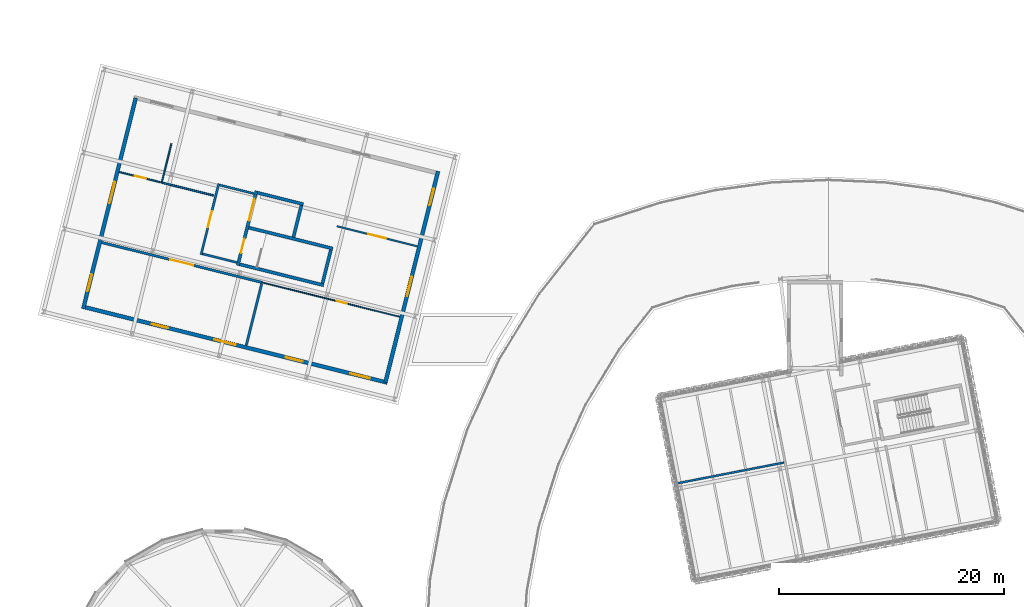
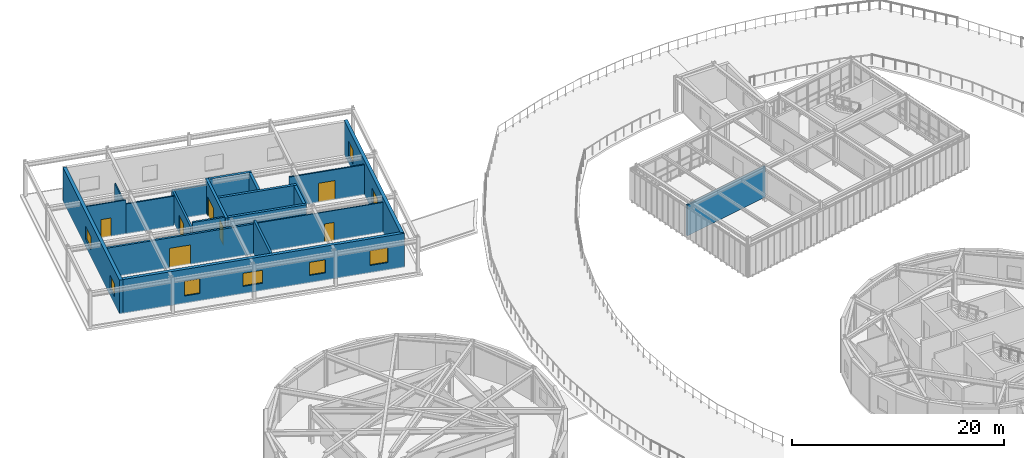
# One storey, part 35 of 59: 20 walls, 8 windows, 7 doors, 15 openings.
"""IFC4 building model written with IfcOpenShell, lengths in metres."""

from ifc_helpers import new_model, si_unit, direction, frame, frame_2d, origin, place, context, subcontext, project, spatial, rectangle, extrude, material, layer, layer_set, type_object, element, fill, save


model = new_model("IFC4")

# Units and contexts
model_context = context("Model", 3, precision=1e-05, world=origin(), true_north=direction((0.0, 1.0)))
body_context = subcontext(model_context, "Body", "Model", "MODEL_VIEW")
ifc_project = project(units=[si_unit("LENGTHUNIT", "METRE"), si_unit("AREAUNIT", "SQUARE_METRE"), si_unit("VOLUMEUNIT", "CUBIC_METRE"), si_unit("PLANEANGLEUNIT", "RADIAN"), si_unit("MASSUNIT", "GRAM", prefix="KILO")], contexts=[model_context])

# Site, building, storey
site_placement = place(None, origin())
site = spatial("IfcSite", under=ifc_project, at=site_placement, CompositionType="ELEMENT")
building_placement = place(site_placement, origin())
building = spatial("IfcBuilding", under=site, at=building_placement, Name="Varnklinge Art Gallery", CompositionType="ELEMENT")
storey_placement = place(building_placement, frame((0.0, 0.0, 9.52001953125)))
storey = spatial("IfcBuildingStorey", under=building, at=storey_placement, Name="L02", CompositionType="ELEMENT", Elevation=9.52001953125)

# Wall, openings, windows
ifc_material_1 = material(Name="Precast concrete C40/50", Category="concrete")
ifc_layer_1 = layer(ifc_material_1, 0.340087890625)
ifc_layer_set_1 = layer_set([ifc_layer_1], Name="Precast concrete C40/50")
wall_type_1 = type_object("IfcWallType", Name="EW-34", PredefinedType="SOLIDWALL", material=ifc_layer_set_1)
wall_1_placement = place(storey_placement, frame((9.22216796875, 85.88525390625, 0.0), z_axis=(0.0, 0.0, 1.0), x_axis=(0.241917442557, 0.970296836533, 0.0)))
wall_1 = element("IfcWall", 1, at=wall_1_placement, inside=storey, type_object=wall_type_1, Name="L02 Exterior Wall EW-V5-L02-01", PredefinedType="SOLIDWALL", context=body_context, shape_type="SweptSolid", body=[
    extrude(rectangle(XDim=19.330078125, YDim=0.340087890625, at=frame_2d((9.6650390625, 0.0))), origin(), (0.0, 0.0, 1.0), 3.919921875),
])
opening_1_placement = place(wall_1_placement, frame((1.60009765625, 0.0, 0.85009765625)))
opening_1 = element("IfcOpeningElement", 2, at=opening_1_placement, cuts=wall_1, Name="Opening WN-03", PredefinedType="OPENING", context=body_context, shape_type="SweptSolid", body=[
    extrude(rectangle(XDim=1.550048828125, YDim=1.5, at=frame_2d((0.77490234375, 0.75))), frame((0.0, 0.179931640625, 0.0), z_axis=(0.0, -1.0, 0.0), x_axis=(1.0, 0.0, 0.0)), (0.0, 0.0, 1.0), 0.360107421875),
])
opening_2_placement = place(wall_1_placement, frame((9.6650390625, 0.0, 0.85009765625)))
opening_2 = element("IfcOpeningElement", 3, at=opening_2_placement, cuts=wall_1, Name="Opening WN-05", PredefinedType="OPENING", context=body_context, shape_type="SweptSolid", body=[
    extrude(rectangle(XDim=1.949951171875, YDim=1.5, at=frame_2d((0.97509765625, 0.75))), frame((0.0, 0.179931640625, 0.0), z_axis=(0.0, -1.0, 0.0), x_axis=(1.0, 0.0, 0.0)), (0.0, 0.0, 1.0), 0.360107421875),
])
ifc_material_2 = material(Name="Insulated Low-E Triple Glazing", Category="glass")
window_type_1 = type_object("IfcWindowType", Name="WN-03", PartitioningType="SINGLE_PANEL", PredefinedType="WINDOW", material=ifc_material_2)
window_1_placement = place(opening_1_placement, origin())
window_1 = element("IfcWindow", 4, at=window_1_placement, inside=storey, type_object=window_type_1, Name="L02 Window WIN-L02-139", OverallHeight=1.5, OverallWidth=1.550048828125, PartitioningType="SINGLE_PANEL", PredefinedType="WINDOW", context=body_context, shape_type="SweptSolid", body=[
    extrude(rectangle(XDim=1.550048828125, YDim=1.5, at=frame_2d((0.77490234375, 0.75))), frame((0.0, 0.030029296875, 0.0), z_axis=(0.0, -1.0, 0.0), x_axis=(1.0, 0.0, 0.0)), (0.0, 0.0, 1.0), 0.06005859375),
])
fill(opening_1, window_1)
ifc_material_3 = material(Name="Insulated Low-E Triple Glazing", Category="glass")
window_type_2 = type_object("IfcWindowType", Name="WN-05", PartitioningType="SINGLE_PANEL", PredefinedType="WINDOW", material=ifc_material_3)
window_2_placement = place(opening_2_placement, origin())
window_2 = element("IfcWindow", 5, at=window_2_placement, inside=storey, type_object=window_type_2, Name="L02 Window WIN-L02-140", OverallHeight=1.5, OverallWidth=1.949951171875, PartitioningType="SINGLE_PANEL", PredefinedType="WINDOW", context=body_context, shape_type="SweptSolid", body=[
    extrude(rectangle(XDim=1.949951171875, YDim=1.5, at=frame_2d((0.97509765625, 0.75))), frame((0.0, 0.030029296875, 0.0), z_axis=(0.0, -1.0, 0.0), x_axis=(1.0, 0.0, 0.0)), (0.0, 0.0, 1.0), 0.06005859375),
])
fill(opening_2, window_2)

wall_2_placement = place(storey_placement, frame((40.77783203125, 98.11474609375, 0.0), z_axis=(0.0, 0.0, 1.0), x_axis=(-0.241917442557, -0.970296836533, 0.0)))
wall_2 = element("IfcWall", 6, at=wall_2_placement, inside=storey, type_object=wall_type_1, Name="L02 Exterior Wall EW-V5-L02-03", PredefinedType="SOLIDWALL", context=body_context, shape_type="SweptSolid", body=[
    extrude(rectangle(XDim=19.330078125, YDim=0.340087890625, at=frame_2d((9.6650390625, 0.0))), origin(), (0.0, 0.0, 1.0), 3.919921875),
])
opening_3_placement = place(wall_2_placement, frame((1.60009765625, 0.0, 0.85009765625)))
opening_3 = element("IfcOpeningElement", 7, at=opening_3_placement, cuts=wall_2, Name="Opening WN-10", PredefinedType="OPENING", context=body_context, shape_type="SweptSolid", body=[
    extrude(rectangle(XDim=1.5, YDim=1.699951171875, at=frame_2d((0.75, 0.85009765625))), frame((0.0, 0.179931640625, 0.0), z_axis=(0.0, -1.0, 0.0), x_axis=(1.0, 0.0, 0.0)), (0.0, 0.0, 1.0), 0.360107421875),
])
opening_4_placement = place(wall_2_placement, frame((9.6650390625, 0.0, 0.85009765625)))
opening_4 = element("IfcOpeningElement", 8, at=opening_4_placement, cuts=wall_2, Name="Opening WN-11", PredefinedType="OPENING", context=body_context, shape_type="SweptSolid", body=[
    extrude(rectangle(XDim=1.800048828125, YDim=1.699951171875, at=frame_2d((0.89990234375, 0.85009765625))), frame((0.0, 0.179931640625, 0.0), z_axis=(0.0, -1.0, 0.0), x_axis=(1.0, 0.0, 0.0)), (0.0, 0.0, 1.0), 0.360107421875),
])
ifc_material_4 = material(Name="Insulated Low-E Triple Glazing", Category="glass")
window_type_3 = type_object("IfcWindowType", Name="WN-10", PartitioningType="SINGLE_PANEL", PredefinedType="WINDOW", material=ifc_material_4)
window_3_placement = place(opening_3_placement, origin())
window_3 = element("IfcWindow", 9, at=window_3_placement, inside=storey, type_object=window_type_3, Name="L02 Window WIN-L02-145", OverallHeight=1.699951171875, OverallWidth=1.5, PartitioningType="SINGLE_PANEL", PredefinedType="WINDOW", context=body_context, shape_type="SweptSolid", body=[
    extrude(rectangle(XDim=1.5, YDim=1.699951171875, at=frame_2d((0.75, 0.85009765625))), frame((0.0, 0.030029296875, 0.0), z_axis=(0.0, -1.0, 0.0), x_axis=(1.0, 0.0, 0.0)), (0.0, 0.0, 1.0), 0.06005859375),
])
fill(opening_3, window_3)
ifc_material_5 = material(Name="Insulated Low-E Triple Glazing", Category="glass")
window_type_4 = type_object("IfcWindowType", Name="WN-11", PartitioningType="SINGLE_PANEL", PredefinedType="WINDOW", material=ifc_material_5)
window_4_placement = place(opening_4_placement, origin())
window_4 = element("IfcWindow", 10, at=window_4_placement, inside=storey, type_object=window_type_4, Name="L02 Window WIN-L02-146", OverallHeight=1.699951171875, OverallWidth=1.800048828125, PartitioningType="SINGLE_PANEL", PredefinedType="WINDOW", context=body_context, shape_type="SweptSolid", body=[
    extrude(rectangle(XDim=1.800048828125, YDim=1.699951171875, at=frame_2d((0.89990234375, 0.85009765625))), frame((0.0, 0.030029296875, 0.0), z_axis=(0.0, -1.0, 0.0), x_axis=(1.0, 0.0, 0.0)), (0.0, 0.0, 1.0), 0.06005859375),
])
fill(opening_4, window_4)

wall_3_placement = place(storey_placement, frame((36.2666015625, 79.317626953125, 0.0), z_axis=(0.0, 0.0, 1.0), x_axis=(-0.970296082692, 0.24192046609, 0.0)))
wall_3 = element("IfcWall", 11, at=wall_3_placement, inside=storey, type_object=wall_type_1, Name="L02 Exterior Wall EW-V5-L02-04", PredefinedType="SOLIDWALL", context=body_context, shape_type="SweptSolid", body=[
    extrude(rectangle(XDim=27.830078125, YDim=0.340087890625, at=frame_2d((13.9150390625, 0.0))), origin(), (0.0, 0.0, 1.0), 3.919921875),
])
opening_5_placement = place(wall_3_placement, frame((1.60009765625, 0.0, 0.85009765625)))
opening_5 = element("IfcOpeningElement", 12, at=opening_5_placement, cuts=wall_3, Name="Opening WN-11", PredefinedType="OPENING", context=body_context, shape_type="SweptSolid", body=[
    extrude(rectangle(XDim=1.800048828125, YDim=1.699951171875, at=frame_2d((0.89990234375, 0.85009765625))), frame((0.0, 0.179931640625, 0.0), z_axis=(0.0, -1.0, 0.0), x_axis=(1.0, 0.0, 0.0)), (0.0, 0.0, 1.0), 0.360107421875),
])
opening_6_placement = place(wall_3_placement, frame((7.757568359375, 0.0, 0.85009765625)))
opening_6 = element("IfcOpeningElement", 13, at=opening_6_placement, cuts=wall_3, Name="Opening WN-03", PredefinedType="OPENING", context=body_context, shape_type="SweptSolid", body=[
    extrude(rectangle(XDim=1.550048828125, YDim=1.5, at=frame_2d((0.77490234375, 0.75))), frame((0.0, 0.179931640625, 0.0), z_axis=(0.0, -1.0, 0.0), x_axis=(1.0, 0.0, 0.0)), (0.0, 0.0, 1.0), 0.360107421875),
])
opening_7_placement = place(wall_3_placement, frame((13.9150390625, 0.0, 0.85009765625)))
opening_7 = element("IfcOpeningElement", 14, at=opening_7_placement, cuts=wall_3, Name="Opening WN-05", PredefinedType="OPENING", context=body_context, shape_type="SweptSolid", body=[
    extrude(rectangle(XDim=1.949951171875, YDim=1.5, at=frame_2d((0.97509765625, 0.75))), frame((0.0, 0.179931640625, 0.0), z_axis=(0.0, -1.0, 0.0), x_axis=(1.0, 0.0, 0.0)), (0.0, 0.0, 1.0), 0.360107421875),
])
opening_8_placement = place(wall_3_placement, frame((20.072509765625, 0.0, 0.85009765625)))
opening_8 = element("IfcOpeningElement", 15, at=opening_8_placement, cuts=wall_3, Name="Opening WN-10", PredefinedType="OPENING", context=body_context, shape_type="SweptSolid", body=[
    extrude(rectangle(XDim=1.5, YDim=1.699951171875, at=frame_2d((0.75, 0.85009765625))), frame((0.0, 0.179931640625, 0.0), z_axis=(0.0, -1.0, 0.0), x_axis=(1.0, 0.0, 0.0)), (0.0, 0.0, 1.0), 0.360107421875),
])
window_5_placement = place(opening_6_placement, origin())
window_5 = element("IfcWindow", 16, at=window_5_placement, inside=storey, type_object=window_type_1, Name="L02 Window WIN-L02-148", OverallHeight=1.5, OverallWidth=1.550048828125, PartitioningType="SINGLE_PANEL", PredefinedType="WINDOW", context=body_context, shape_type="SweptSolid", body=[
    extrude(rectangle(XDim=1.550048828125, YDim=1.5, at=frame_2d((0.77490234375, 0.75))), frame((0.0, 0.030029296875, 0.0), z_axis=(0.0, -1.0, 0.0), x_axis=(1.0, 0.0, 0.0)), (0.0, 0.0, 1.0), 0.06005859375),
])
fill(opening_6, window_5)
window_6_placement = place(opening_7_placement, origin())
window_6 = element("IfcWindow", 17, at=window_6_placement, inside=storey, type_object=window_type_2, Name="L02 Window WIN-L02-149", OverallHeight=1.5, OverallWidth=1.949951171875, PartitioningType="SINGLE_PANEL", PredefinedType="WINDOW", context=body_context, shape_type="SweptSolid", body=[
    extrude(rectangle(XDim=1.949951171875, YDim=1.5, at=frame_2d((0.97509765625, 0.75))), frame((0.0, 0.030029296875, 0.0), z_axis=(0.0, -1.0, 0.0), x_axis=(1.0, 0.0, 0.0)), (0.0, 0.0, 1.0), 0.06005859375),
])
fill(opening_7, window_6)
window_7_placement = place(opening_8_placement, origin())
window_7 = element("IfcWindow", 18, at=window_7_placement, inside=storey, type_object=window_type_3, Name="L02 Window WIN-L02-150", OverallHeight=1.699951171875, OverallWidth=1.5, PartitioningType="SINGLE_PANEL", PredefinedType="WINDOW", context=body_context, shape_type="SweptSolid", body=[
    extrude(rectangle(XDim=1.5, YDim=1.699951171875, at=frame_2d((0.75, 0.85009765625))), frame((0.0, 0.030029296875, 0.0), z_axis=(0.0, -1.0, 0.0), x_axis=(1.0, 0.0, 0.0)), (0.0, 0.0, 1.0), 0.06005859375),
])
fill(opening_8, window_7)
window_8_placement = place(opening_5_placement, origin())
window_8 = element("IfcWindow", 19, at=window_8_placement, inside=storey, type_object=window_type_4, Name="L02 Window WIN-L02-147", OverallHeight=1.699951171875, OverallWidth=1.800048828125, PartitioningType="SINGLE_PANEL", PredefinedType="WINDOW", context=body_context, shape_type="SweptSolid", body=[
    extrude(rectangle(XDim=1.800048828125, YDim=1.699951171875, at=frame_2d((0.89990234375, 0.85009765625))), frame((0.0, 0.030029296875, 0.0), z_axis=(0.0, -1.0, 0.0), x_axis=(1.0, 0.0, 0.0)), (0.0, 0.0, 1.0), 0.06005859375),
])
fill(opening_5, window_8)

# Wall, opening, door
ifc_material_6 = material(Name="Gypsum Board Partition", Category="gypsum")
ifc_layer_2 = layer(ifc_material_6, 0.10009765625)
ifc_layer_set_2 = layer_set([ifc_layer_2], Name="Gypsum Board Partition")
wall_type_2 = type_object("IfcWallType", Name="IW-10", PredefinedType="PARTITIONING", material=ifc_layer_set_2)
wall_4_placement = place(storey_placement, frame((37.372314453125, 85.174072265625, 0.0), z_axis=(0.0, 0.0, 1.0), x_axis=(-0.970296993453, 0.241916813174, 0.0)))
wall_4 = element("IfcWall", 20, at=wall_4_placement, inside=storey, type_object=wall_type_2, Name="L02 Partition Wall IW-L02-0301", PredefinedType="PARTITIONING", context=body_context, shape_type="SweptSolid", body=[
    extrude(rectangle(XDim=12.6259765625, YDim=0.10009765625, at=frame_2d((6.31298828125, 0.0))), origin(), (0.0, 0.0, 1.0), 3.4599609375),
])
opening_9_placement = place(wall_4_placement, frame((4.843017578125, 0.0, 0.0)))
opening_9 = element("IfcOpeningElement", 21, at=opening_9_placement, cuts=wall_4, Name="Opening D-L02-240", PredefinedType="OPENING", context=body_context, shape_type="SweptSolid", body=[
    extrude(rectangle(XDim=0.919921875, YDim=2.080078125, at=frame_2d((0.4599609375, 1.0400390625))), frame((0.0, 0.06005859375, 0.0), z_axis=(0.0, -1.0, 0.0), x_axis=(1.0, 0.0, 0.0)), (0.0, 0.0, 1.0), 0.1201171875),
])
ifc_material_7 = material(Name="Oak Timber Leaf", Category="wood")
door_type_1 = type_object("IfcDoorType", Name="ID-01", OperationType="SINGLE_SWING_LEFT", PredefinedType="DOOR", material=ifc_material_7)
door_1_placement = place(opening_9_placement, origin())
door_1 = element("IfcDoor", 22, at=door_1_placement, inside=storey, type_object=door_type_1, Name="L02 L02 Preventive Conservation Office Door D-L02-240", OperationType="SINGLE_SWING_RIGHT", OverallHeight=2.080078125, OverallWidth=0.919921875, PredefinedType="DOOR", context=body_context, shape_type="SweptSolid", body=[
    extrude(rectangle(XDim=0.919921875, YDim=2.080078125, at=frame_2d((0.4599609375, 1.0400390625))), frame((0.0, 0.02490234375, 0.0), z_axis=(0.0, -1.0, 0.0), x_axis=(1.0, 0.0, 0.0)), (0.0, 0.0, 1.0), 0.050048828125),
])
fill(opening_9, door_1)

ifc_material_8 = material(Name="Gypsum Board Partition", Category="gypsum")
ifc_layer_3 = layer(ifc_material_8, 0.1201171875)
ifc_layer_set_3 = layer_set([ifc_layer_3], Name="Gypsum Board Partition")
wall_type_3 = type_object("IfcWallType", Name="IW-12", PredefinedType="PARTITIONING", material=ifc_layer_set_3)
wall_5_placement = place(storey_placement, frame((12.434326171875, 98.0498046875, 0.0), z_axis=(0.0, 0.0, 1.0), x_axis=(0.970290146649, -0.241944273164, 0.0)))
wall_5 = element("IfcWall", 23, at=wall_5_placement, inside=storey, type_object=wall_type_3, Name="L02 Partition Wall IW-L02-0299", PredefinedType="PARTITIONING", context=body_context, shape_type="SweptSolid", body=[
    extrude(rectangle(XDim=3.885986328125, YDim=0.1201171875, at=frame_2d((1.94287109375, 0.0))), origin(), (0.0, 0.0, 1.0), 3.909912109375),
])
opening_10_placement = place(wall_5_placement, frame((1.43310546875, 0.0, 0.0)))
opening_10 = element("IfcOpeningElement", 24, at=opening_10_placement, cuts=wall_5, Name="Opening D-L02-238", PredefinedType="OPENING", context=body_context, shape_type="SweptSolid", body=[
    extrude(rectangle(XDim=1.02001953125, YDim=2.1201171875, at=frame_2d((0.510009765625, 1.06005859375))), frame((0.0, 0.070068359375, 0.0), z_axis=(0.0, -1.0, 0.0), x_axis=(1.0, 0.0, 0.0)), (0.0, 0.0, 1.0), 0.14013671875),
])
ifc_material_9 = material(Name="Oak Timber Leaf", Category="wood")
door_type_2 = type_object("IfcDoorType", Name="ID-03", OperationType="SINGLE_SWING_LEFT", PredefinedType="DOOR", material=ifc_material_9)
door_2_placement = place(opening_10_placement, origin())
door_2 = element("IfcDoor", 25, at=door_2_placement, inside=storey, type_object=door_type_2, Name="L02 L02 Staff Accessible WC Door D-L02-238", OperationType="SINGLE_SWING_RIGHT", OverallHeight=2.1201171875, OverallWidth=1.02001953125, PredefinedType="DOOR", context=body_context, shape_type="SweptSolid", body=[
    extrude(rectangle(XDim=1.02001953125, YDim=2.1201171875, at=frame_2d((0.510009765625, 1.06005859375))), frame((0.0, 0.02490234375, 0.0), z_axis=(0.0, -1.0, 0.0), x_axis=(1.0, 0.0, 0.0)), (0.0, 0.0, 1.0), 0.050048828125),
])
fill(opening_10, door_2)

# Wall
wall_6_placement = place(storey_placement, frame((17.068603515625, 100.573486328125, 0.0), z_axis=(0.0, 0.0, 1.0), x_axis=(-0.241976747044, -0.970282048628, 0.0)))
element("IfcWall", 26, at=wall_6_placement, inside=storey, type_object=wall_type_3, Name="L02 Partition Wall IW-L02-0321", PredefinedType="PARTITIONING", context=body_context, shape_type="SweptSolid", body=[
    extrude(rectangle(XDim=3.494873046875, YDim=0.1201171875, at=frame_2d((1.74755859375, 0.0))), origin(), (0.0, 0.0, 1.0), 3.409912109375),
])

# Wall, opening, door
ifc_material_10 = material(Name="Gypsum Board Partition", Category="gypsum")
ifc_layer_4 = layer(ifc_material_10, 0.14990234375)
ifc_layer_set_4 = layer_set([ifc_layer_4], Name="Gypsum Board Partition")
wall_type_4 = type_object("IfcWallType", Name="IW-15", PredefinedType="PARTITIONING", material=ifc_layer_set_4)
wall_7_placement = place(storey_placement, frame((31.77392578125, 93.227783203125, 0.0), z_axis=(0.0, 0.0, 1.0), x_axis=(0.970297970166, -0.241912895671, 0.0)))
wall_7 = element("IfcWall", 27, at=wall_7_placement, inside=storey, type_object=wall_type_4, Name="L02 Partition Wall IW-L02-0302", PredefinedType="PARTITIONING", context=body_context, shape_type="SweptSolid", body=[
    extrude(rectangle(XDim=7.38037109375, YDim=0.14990234375, at=frame_2d((3.690185546875, 0.0))), origin(), (0.0, 0.0, 1.0), 3.4599609375),
])
opening_11_placement = place(wall_7_placement, frame((2.8701171875, 0.0, 0.0)))
opening_11 = element("IfcOpeningElement", 28, at=opening_11_placement, cuts=wall_7, Name="Opening D-L02-241", PredefinedType="OPENING", context=body_context, shape_type="SweptSolid", body=[
    extrude(rectangle(XDim=1.639892578125, YDim=2.199951171875, at=frame_2d((0.81982421875, 1.10009765625))), frame((0.0, 0.0849609375, 0.0), z_axis=(0.0, -1.0, 0.0), x_axis=(1.0, 0.0, 0.0)), (0.0, 0.0, 1.0), 0.169921875),
])
ifc_material_11 = material(Name="Oak Timber Leaf", Category="wood")
door_type_3 = type_object("IfcDoorType", Name="ID-08", OperationType="DOUBLE_DOOR_SINGLE_SWING", PredefinedType="DOOR", material=ifc_material_11)
door_3_placement = place(opening_11_placement, origin())
door_3 = element("IfcDoor", 29, at=door_3_placement, inside=storey, type_object=door_type_3, Name="L02 L02 Curatorial Research Archive Door D-L02-241", OperationType="DOUBLE_DOOR_SINGLE_SWING", OverallHeight=2.199951171875, OverallWidth=1.639892578125, PredefinedType="DOOR", context=body_context, shape_type="SweptSolid", body=[
    extrude(rectangle(XDim=1.639892578125, YDim=2.199951171875, at=frame_2d((0.81982421875, 1.10009765625))), frame((0.0, 0.02490234375, 0.0), z_axis=(0.0, -1.0, 0.0), x_axis=(1.0, 0.0, 0.0)), (0.0, 0.0, 1.0), 0.050048828125),
])
fill(opening_11, door_3)

# Walls
wall_8_placement = place(storey_placement, frame((16.204833984375, 97.109619140625, 0.0), z_axis=(0.0, 0.0, 1.0), x_axis=(0.970293610537, -0.241930381208, 0.0)))
element("IfcWall", 30, at=wall_8_placement, inside=storey, type_object=wall_type_4, Name="L02 Partition Wall IW-L02-0303", PredefinedType="PARTITIONING", context=body_context, shape_type="SweptSolid", body=[
    extrude(rectangle(XDim=4.745849609375, YDim=0.14990234375, at=frame_2d((2.373046875, 0.0))), origin(), (0.0, 0.0, 1.0), 3.4599609375),
])
ifc_material_12 = material(Name="Gypsum Board Partition", Category="gypsum")
ifc_layer_5 = layer(ifc_material_12, 0.179931640625)
ifc_layer_set_5 = layer_set([ifc_layer_5], Name="Gypsum Board Partition")
wall_type_5 = type_object("IfcWallType", Name="IW-18", PredefinedType="PARTITIONING", material=ifc_layer_set_5)
wall_9_placement = place(storey_placement, frame((71.547607421875, 72.21044921875, 0.0), z_axis=(0.0, 0.0, 1.0), x_axis=(-0.981627297685, -0.190808407676, 0.0)))
element("IfcWall", 31, at=wall_9_placement, inside=storey, type_object=wall_type_5, Name="L02 Partition Wall IW-L02-0320", PredefinedType="PARTITIONING", context=body_context, shape_type="SweptSolid", body=[
    extrude(rectangle(XDim=9.815185546875, YDim=0.179931640625, at=frame_2d((4.90771484375, 0.0))), origin(), (0.0, 0.0, 1.0), 3.550048828125),
])
ifc_material_13 = material(Name="Concrete C40/50", Category="concrete")
ifc_layer_6 = layer(ifc_material_13, 0.199951171875)
ifc_layer_set_6 = layer_set([ifc_layer_6], Name="Concrete C40/50")
wall_type_6 = type_object("IfcWallType", Name="IW-20", PredefinedType="PARTITIONING", material=ifc_layer_set_6)
wall_10_placement = place(storey_placement, frame((19.824462890625, 90.770263671875, 0.0), z_axis=(0.0, 0.0, 1.0), x_axis=(0.970306396763, -0.241879094592, 0.0)))
element("IfcWall", 32, at=wall_10_placement, inside=storey, type_object=wall_type_6, Name="L02 Core C4 Lobby South Wall", PredefinedType="PARTITIONING", context=body_context, shape_type="SweptSolid", body=[
    extrude(rectangle(XDim=3.150146484375, YDim=0.199951171875, at=frame_2d((1.5751953125, 0.0))), origin(), (0.0, 0.0, 1.0), 3.919921875),
])
wall_11_placement = place(storey_placement, frame((24.407470703125, 96.130859375, 0.0), z_axis=(0.0, 0.0, 1.0), x_axis=(-0.970301862046, 0.241897285042, 0.0)))
element("IfcWall", 33, at=wall_11_placement, inside=storey, type_object=wall_type_6, Name="L02 Core C4 Lobby North Wall", PredefinedType="PARTITIONING", context=body_context, shape_type="SweptSolid", body=[
    extrude(rectangle(XDim=3.14990234375, YDim=0.199951171875, at=frame_2d((1.574951171875, 0.0))), origin(), (0.0, 0.0, 1.0), 3.409912109375),
])

# Wall, opening, door
wall_12_placement = place(storey_placement, frame((19.703369140625, 90.697509765625, 0.0), z_axis=(0.0, 0.0, 1.0), x_axis=(0.24192671796, 0.970294523914, 0.0)))
wall_12 = element("IfcWall", 34, at=wall_12_placement, inside=storey, type_object=wall_type_6, Name="L02 Core C4 Lobby Corridor Wall", PredefinedType="PARTITIONING", context=body_context, shape_type="SweptSolid", body=[
    extrude(rectangle(XDim=6.510009765625, YDim=0.199951171875, at=frame_2d((3.2548828125, 0.0))), origin(), (0.0, 0.0, 1.0), 3.409912109375),
])
opening_12_placement = place(wall_12_placement, frame((2.514892578125, 0.0, 0.0)))
opening_12 = element("IfcOpeningElement", 35, at=opening_12_placement, cuts=wall_12, Name="Opening D-L02-072", PredefinedType="OPENING", context=body_context, shape_type="SweptSolid", body=[
    extrude(rectangle(XDim=1.47998046875, YDim=2.14990234375, at=frame_2d((0.739990234375, 1.074951171875))), frame((0.0, 0.110107421875, 0.0), z_axis=(0.0, -1.0, 0.0), x_axis=(1.0, 0.0, 0.0)), (0.0, 0.0, 1.0), 0.219970703125),
])
ifc_material_14 = material(Name="Galvanised Fire-Rated Steel", Category="steel")
door_type_4 = type_object("IfcDoorType", Name="ID-LB1", OperationType="DOUBLE_DOOR_SINGLE_SWING", PredefinedType="DOOR", material=ifc_material_14)
door_4_placement = place(opening_12_placement, origin())
door_4 = element("IfcDoor", 36, at=door_4_placement, inside=storey, type_object=door_type_4, Name="L02 Core C4 Protected Lobby Door D-L02-072", OperationType="DOUBLE_DOOR_SINGLE_SWING", OverallHeight=2.14990234375, OverallWidth=1.47998046875, PredefinedType="DOOR", context=body_context, shape_type="SweptSolid", body=[
    extrude(rectangle(XDim=1.47998046875, YDim=2.14990234375, at=frame_2d((0.739990234375, 1.074951171875))), frame((0.0, 0.02490234375, 0.0), z_axis=(0.0, -1.0, 0.0), x_axis=(1.0, 0.0, 0.0)), (0.0, 0.0, 1.0), 0.050048828125),
])
fill(opening_12, door_4)

ifc_material_15 = material(Name="Concrete C40/50", Category="concrete")
ifc_layer_7 = layer(ifc_material_15, 0.219970703125)
ifc_layer_set_7 = layer_set([ifc_layer_7], Name="Concrete C40/50")
wall_type_7 = type_object("IfcWallType", Name="IW-22", PredefinedType="PARTITIONING", material=ifc_layer_set_7)
wall_13_placement = place(storey_placement, frame((25.121337890625, 88.228515625, 0.0), z_axis=(0.0, 0.0, 1.0), x_axis=(-0.970293882598, 0.241929290069, 0.0)))
wall_13 = element("IfcWall", 37, at=wall_13_placement, inside=storey, type_object=wall_type_7, Name="L02 Partition Wall IW-L02-0300", PredefinedType="PARTITIONING", context=body_context, shape_type="SweptSolid", body=[
    extrude(rectangle(XDim=14.68603515625, YDim=0.219970703125, at=frame_2d((7.343017578125, 0.0))), origin(), (0.0, 0.0, 1.0), 3.4599609375),
])
opening_13_placement = place(wall_13_placement, frame((6.29296875, 0.0, 0.0)))
opening_13 = element("IfcOpeningElement", 38, at=opening_13_placement, cuts=wall_13, Name="Opening D-L02-239", PredefinedType="OPENING", context=body_context, shape_type="SweptSolid", body=[
    extrude(rectangle(XDim=2.10009765625, YDim=2.25, at=frame_2d((1.050048828125, 1.125))), frame((0.0, 0.119873046875, 0.0), z_axis=(0.0, -1.0, 0.0), x_axis=(1.0, 0.0, 0.0)), (0.0, 0.0, 1.0), 0.239990234375),
])
ifc_material_16 = material(Name="Galvanised Fire-Rated Steel", Category="steel")
door_type_5 = type_object("IfcDoorType", Name="ID-10", OperationType="DOUBLE_DOOR_SINGLE_SWING", PredefinedType="DOOR", material=ifc_material_16)
door_5_placement = place(opening_13_placement, origin())
door_5 = element("IfcDoor", 39, at=door_5_placement, inside=storey, type_object=door_type_5, Name="L02 L02 Pigment X-Ray and Imaging Lab Door D-L02-239", OperationType="DOUBLE_DOOR_SINGLE_SWING", OverallHeight=2.25, OverallWidth=2.10009765625, PredefinedType="DOOR", context=body_context, shape_type="SweptSolid", body=[
    extrude(rectangle(XDim=2.10009765625, YDim=2.25, at=frame_2d((1.050048828125, 1.125))), frame((0.0, 0.02490234375, 0.0), z_axis=(0.0, -1.0, 0.0), x_axis=(1.0, 0.0, 0.0)), (0.0, 0.0, 1.0), 0.050048828125),
])
fill(opening_13, door_5)

# Walls
wall_14_placement = place(storey_placement, frame((25.091064453125, 88.107421875, 0.0), z_axis=(0.0, 0.0, 1.0), x_axis=(-0.24193582182, -0.970292253973, 0.0)))
element("IfcWall", 40, at=wall_14_placement, inside=storey, type_object=wall_type_7, Name="L02 Partition Wall IW-L02-0322", PredefinedType="PARTITIONING", context=body_context, shape_type="SweptSolid", body=[
    extrude(rectangle(XDim=5.651123046875, YDim=0.219970703125, at=frame_2d((2.82568359375, 0.0))), origin(), (0.0, 0.0, 1.0), 3.909912109375),
])
ifc_material_17 = material(Name="Concrete C40/50", Category="concrete")
ifc_layer_8 = layer(ifc_material_17, 0.280029296875)
ifc_layer_set_8 = layer_set([ifc_layer_8], Name="Concrete C40/50")
wall_type_8 = type_object("IfcWallType", Name="SW-28", PredefinedType="SHEAR", material=ifc_layer_set_8)
wall_15_placement = place(storey_placement, frame((23.13818359375, 89.841064453125, 0.0), z_axis=(0.0, 0.0, 1.0), x_axis=(0.970295246537, -0.24192381972, 0.0)))
element("IfcWall", 41, at=wall_15_placement, inside=storey, type_object=wall_type_8, Name="L02 Core C4 South Shear Wall", PredefinedType="SHEAR", context=body_context, shape_type="SweptSolid", body=[
    extrude(rectangle(XDim=7.699951171875, YDim=0.280029296875, at=frame_2d((3.85009765625, 0.0))), origin(), (0.0, 0.0, 1.0), 3.919921875),
])
wall_16_placement = place(storey_placement, frame((30.507568359375, 88.14794921875, 0.0), z_axis=(0.0, 0.0, 1.0), x_axis=(0.241920098373, 0.970296174373, 0.0)))
element("IfcWall", 42, at=wall_16_placement, inside=storey, type_object=wall_type_8, Name="L02 Core C4 East Shear Wall", PredefinedType="SHEAR", context=body_context, shape_type="SweptSolid", body=[
    extrude(rectangle(XDim=3.080078125, YDim=0.280029296875, at=frame_2d((1.5400390625, 0.0))), origin(), (0.0, 0.0, 1.0), 3.919921875),
])
wall_17_placement = place(storey_placement, frame((31.42236328125, 91.238525390625, 0.0), z_axis=(0.0, 0.0, 1.0), x_axis=(-0.970297102167, 0.241916377137, 0.0)))
element("IfcWall", 43, at=wall_17_placement, inside=storey, type_object=wall_type_8, Name="L02 Core C4 Dividing Shear Wall", PredefinedType="SHEAR", context=body_context, shape_type="SweptSolid", body=[
    extrude(rectangle(XDim=7.7001953125, YDim=0.280029296875, at=frame_2d((3.85009765625, 0.0))), origin(), (0.0, 0.0, 1.0), 3.919921875),
])
wall_18_placement = place(storey_placement, frame((27.92431640625, 92.2548828125, 0.0), z_axis=(0.0, 0.0, 1.0), x_axis=(0.241886356621, 0.970304586447, 0.0)))
element("IfcWall", 44, at=wall_18_placement, inside=storey, type_object=wall_type_8, Name="L02 Core C4 Lift East Shear Wall", PredefinedType="SHEAR", context=body_context, shape_type="SweptSolid", body=[
    extrude(rectangle(XDim=2.919921875, YDim=0.280029296875, at=frame_2d((1.4599609375, 0.0))), origin(), (0.0, 0.0, 1.0), 3.919921875),
])
wall_19_placement = place(storey_placement, frame((28.80029296875, 95.190185546875, 0.0), z_axis=(0.0, 0.0, 1.0), x_axis=(-0.970292765557, 0.241933770084, 0.0)))
element("IfcWall", 45, at=wall_19_placement, inside=storey, type_object=wall_type_8, Name="L02 Core C4 Lift North Shear Wall", PredefinedType="SHEAR", context=body_context, shape_type="SweptSolid", body=[
    extrude(rectangle(XDim=4.199951171875, YDim=0.280029296875, at=frame_2d((2.10009765625, 0.0))), origin(), (0.0, 0.0, 1.0), 3.919921875),
])

# Wall, openings, doors
wall_20_placement = place(storey_placement, frame((24.623291015625, 96.3759765625, 0.0), z_axis=(0.0, 0.0, 1.0), x_axis=(-0.241922508616, -0.970295573434, 0.0)))
wall_20 = element("IfcWall", 46, at=wall_20_placement, inside=storey, type_object=wall_type_8, Name="L02 Core C4 Front Shear Wall", PredefinedType="SHEAR", context=body_context, shape_type="SweptSolid", body=[
    extrude(rectangle(XDim=6.840087890625, YDim=0.280029296875, at=frame_2d((3.419921875, 0.0))), origin(), (0.0, 0.0, 1.0), 3.919921875),
])
opening_14_placement = place(wall_20_placement, frame((0.75, 0.0, 0.0)))
opening_14 = element("IfcOpeningElement", 47, at=opening_14_placement, cuts=wall_20, Name="Opening LD-L02-070", PredefinedType="OPENING", context=body_context, shape_type="SweptSolid", body=[
    extrude(rectangle(XDim=2.0, YDim=2.300048828125, at=frame_2d((1.0, 1.14990234375))), frame((0.0, 0.150146484375, 0.0), z_axis=(0.0, -1.0, 0.0), x_axis=(1.0, 0.0, 0.0)), (0.0, 0.0, 1.0), 0.300048828125),
])
opening_15_placement = place(wall_20_placement, frame((4.39990234375, 0.0, 0.0)))
opening_15 = element("IfcOpeningElement", 48, at=opening_15_placement, cuts=wall_20, Name="Opening D-L02-071", PredefinedType="OPENING", context=body_context, shape_type="SweptSolid", body=[
    extrude(rectangle(XDim=1.320068359375, YDim=2.1201171875, at=frame_2d((0.66015625, 1.06005859375))), frame((0.0, 0.150146484375, 0.0), z_axis=(0.0, -1.0, 0.0), x_axis=(1.0, 0.0, 0.0)), (0.0, 0.0, 1.0), 0.300048828125),
])
ifc_material_18 = material(Name="Galvanised Fire-Rated Steel", Category="steel")
door_type_6 = type_object("IfcDoorType", Name="ID-ST1", OperationType="SINGLE_SWING_LEFT", PredefinedType="DOOR", material=ifc_material_18)
door_6_placement = place(opening_15_placement, origin())
door_6 = element("IfcDoor", 49, at=door_6_placement, inside=storey, type_object=door_type_6, Name="L02 Stair ST-04 Fire Door D-L02-071", OperationType="SINGLE_SWING_RIGHT", OverallHeight=2.1201171875, OverallWidth=1.320068359375, PredefinedType="DOOR", context=body_context, shape_type="SweptSolid", body=[
    extrude(rectangle(XDim=1.320068359375, YDim=2.1201171875, at=frame_2d((0.66015625, 1.06005859375))), frame((0.0, 0.02490234375, 0.0), z_axis=(0.0, -1.0, 0.0), x_axis=(1.0, 0.0, 0.0)), (0.0, 0.0, 1.0), 0.050048828125),
])
fill(opening_15, door_6)
ifc_material_19 = material(Name="Anodised Aluminium", Category="aluminium")
door_type_7 = type_object("IfcDoorType", Name="LD-GDS", OperationType="SLIDING_TO_LEFT", PredefinedType="DOOR", material=ifc_material_19)
door_7_placement = place(opening_14_placement, origin())
door_7 = element("IfcDoor", 50, at=door_7_placement, inside=storey, type_object=door_type_7, Name="L02 Goods Lift Sliding Landing Door LD-L02-070", OperationType="SLIDING_TO_LEFT", OverallHeight=2.300048828125, OverallWidth=2.0, PredefinedType="DOOR", context=body_context, shape_type="SweptSolid", body=[
    extrude(rectangle(XDim=2.0, YDim=2.300048828125, at=frame_2d((1.0, 1.14990234375))), frame((0.0, 0.02490234375, 0.0), z_axis=(0.0, -1.0, 0.0), x_axis=(1.0, 0.0, 0.0)), (0.0, 0.0, 1.0), 0.050048828125),
])
fill(opening_14, door_7)

save(model, "model.ifc")
